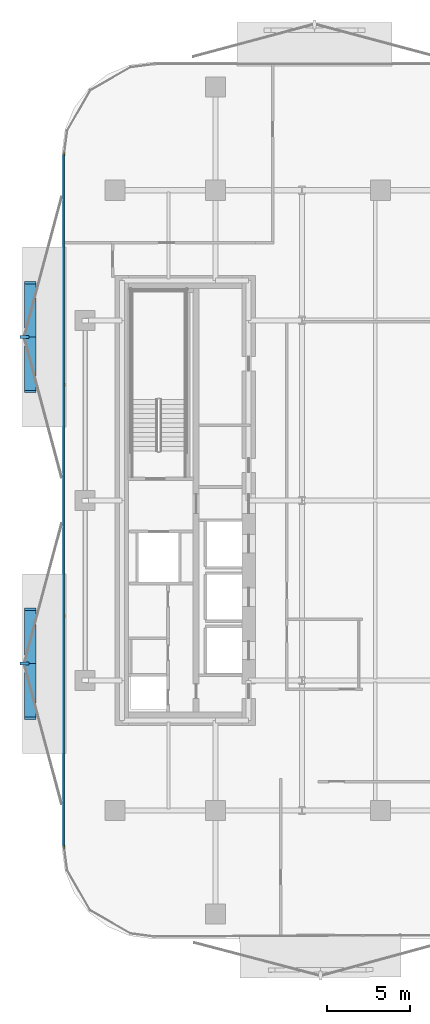
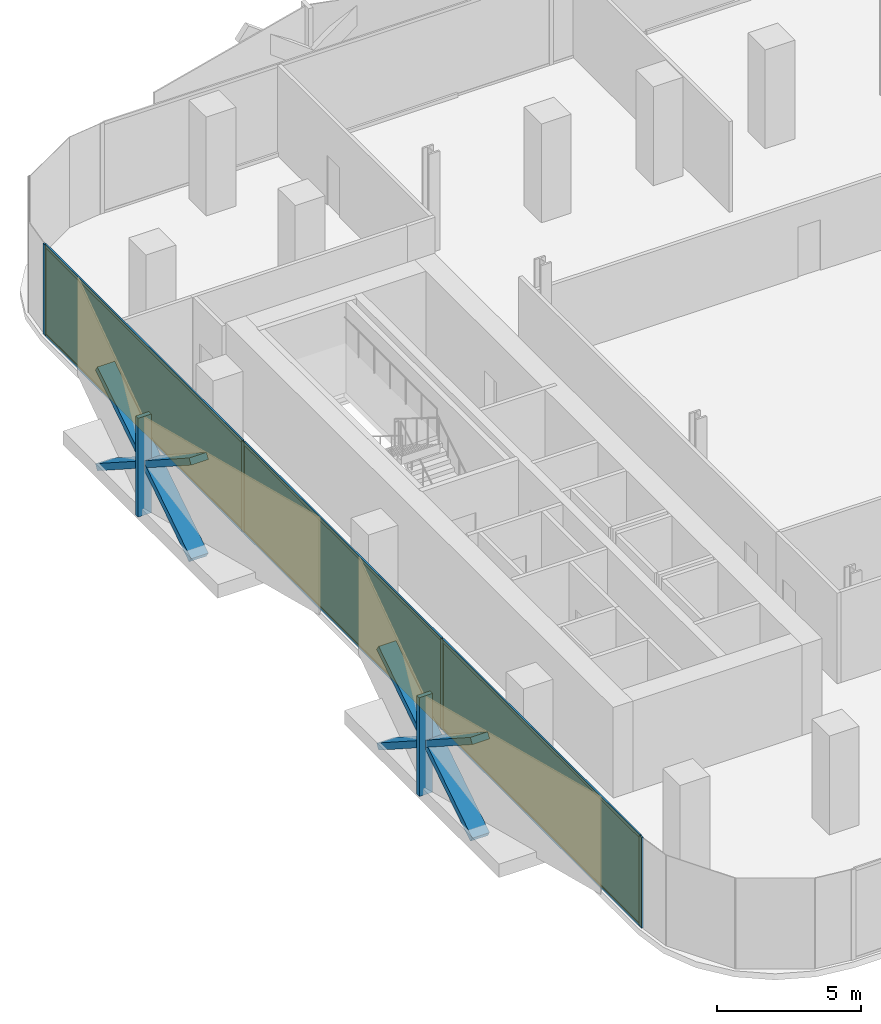
# One storey, part 8 of 15: 16 members, 3 plates, 1 curtain wall.
"""IFC4 building model written with IfcOpenShell, lengths in metres."""

from ifc_helpers import new_model, si_unit, direction, frame, frame_2d, origin, origin_2d, place, context, subcontext, project, spatial, rectangle, extrude, material, layer, layer_set, material_profile, profile_set, type_object, element, aggregate, save


model = new_model("IFC4")

# Units and contexts
model_context = context("Model", 3, precision=1e-05, world=origin(), true_north=direction((0.0, 1.0)))
body_context = subcontext(model_context, "Body", "Model", "MODEL_VIEW")
ifc_project = project(units=[si_unit("LENGTHUNIT", "METRE"), si_unit("AREAUNIT", "SQUARE_METRE"), si_unit("VOLUMEUNIT", "CUBIC_METRE"), si_unit("PLANEANGLEUNIT", "RADIAN"), si_unit("MASSUNIT", "GRAM", prefix="KILO")], contexts=[model_context])

# Member
ifc_material_1 = material(Name="Anodised Bronze Aluminium 6063-T6", Category="aluminium")
ifc_material_profile_1 = material_profile(ifc_material_1, rectangle(XDim=0.260009765625, YDim=0.699951171875, at=origin_2d()))
ifc_profile_set_1 = profile_set([ifc_material_profile_1], Name="Anodised Bronze Aluminium 6063-T6")
member_type_1 = type_object("IfcMemberType", Name="Bronze Diamond Solar-Screen Lattice Rib BDL-700", PredefinedType="MULLION", material=ifc_profile_set_1)
site_placement = place(None, origin())
building_placement = place(site_placement, origin())
storey_placement = place(building_placement, frame((0.0, 0.0, 147.800048828125)))
member_1_placement = place(storey_placement, frame((-25.5, -13.060546875, -0.130126953125), z_axis=(0.0, 0.841051770023, 0.540954637785), x_axis=(0.0, -0.540954637785, 0.841051770023)))
member_1 = element("IfcMember", 1, at=member_1_placement, type_object=member_type_1, Name="L34 Bronze Diamond Solar Screen Lattice Rib 219A", PredefinedType="MULLION", context=body_context, shape_type="SweptSolid", body=[
    extrude(rectangle(XDim=0.260009765625, YDim=0.699951171875, at=origin_2d()), origin(), (0.0, 0.0, 1.0), 7.764404296875),
])

member_2_placement = place(storey_placement, frame((-25.5, -6.5302734375, -0.130126953125), z_axis=(0.0, -0.841051770023, 0.540954637785), x_axis=(0.0, 0.540954637785, 0.841051770023)))
member_2 = element("IfcMember", 2, at=member_2_placement, type_object=member_type_1, Name="L34 Bronze Diamond Solar Screen Lattice Rib 219B", PredefinedType="MULLION", context=body_context, shape_type="SweptSolid", body=[
    extrude(rectangle(XDim=0.260009765625, YDim=0.699951171875, at=origin_2d()), origin(), (0.0, 0.0, 1.0), 7.764404296875),
])

member_3_placement = place(storey_placement, frame((-25.5, 6.5302734375, -0.130126953125), z_axis=(0.0, 0.841051770023, 0.540954637785), x_axis=(0.0, -0.540954637785, 0.841051770023)))
member_3 = element("IfcMember", 3, at=member_3_placement, type_object=member_type_1, Name="L34 Bronze Diamond Solar Screen Lattice Rib 220A", PredefinedType="MULLION", context=body_context, shape_type="SweptSolid", body=[
    extrude(rectangle(XDim=0.260009765625, YDim=0.699951171875, at=origin_2d()), origin(), (0.0, 0.0, 1.0), 7.764404296875),
])

member_4_placement = place(storey_placement, frame((-25.5, 13.060546875, -0.130126953125), z_axis=(0.0, -0.841051770023, 0.540954637785), x_axis=(0.0, 0.540954637785, 0.841051770023)))
member_4 = element("IfcMember", 4, at=member_4_placement, type_object=member_type_1, Name="L34 Bronze Diamond Solar Screen Lattice Rib 220B", PredefinedType="MULLION", context=body_context, shape_type="SweptSolid", body=[
    extrude(rectangle(XDim=0.260009765625, YDim=0.699951171875, at=origin_2d()), origin(), (0.0, 0.0, 1.0), 7.764404296875),
])

ifc_material_2 = material(Name="Anodised Bronze Aluminium 6063-T6", Category="aluminium")
ifc_material_profile_2 = material_profile(ifc_material_2, rectangle(XDim=0.179931640625, YDim=0.5400390625, at=origin_2d()))
ifc_profile_set_2 = profile_set([ifc_material_profile_2], Name="Anodised Bronze Aluminium 6063-T6")
member_type_2 = type_object("IfcMemberType", Name="Bronze Solar-Screen Vertical Fold Fin BSF-540", PredefinedType="MULLION", material=ifc_profile_set_2)
member_5_placement = place(storey_placement, frame((-25.840087890625, -9.79541015625, -0.130126953125), z_axis=(0.0, 0.0, 1.0), x_axis=(0.0, 1.0, 0.0)))
member_5 = element("IfcMember", 5, at=member_5_placement, type_object=member_type_2, Name="L34 Bronze Solar Screen Vertical Fin 219", PredefinedType="MULLION", context=body_context, shape_type="SweptSolid", body=[
    extrude(rectangle(XDim=0.179931640625, YDim=0.5400390625, at=origin_2d()), origin(), (0.0, 0.0, 1.0), 4.2001953125),
])

member_6_placement = place(storey_placement, frame((-25.840087890625, 9.79541015625, -0.130126953125), z_axis=(0.0, 0.0, 1.0), x_axis=(0.0, 1.0, 0.0)))
member_6 = element("IfcMember", 6, at=member_6_placement, type_object=member_type_2, Name="L34 Bronze Solar Screen Vertical Fin 220", PredefinedType="MULLION", context=body_context, shape_type="SweptSolid", body=[
    extrude(rectangle(XDim=0.179931640625, YDim=0.5400390625, at=origin_2d()), origin(), (0.0, 0.0, 1.0), 4.2001953125),
])

ifc_material_3 = material(Name="Anodised Bronze Aluminium 6063-T6", Category="aluminium")
ifc_material_profile_3 = material_profile(ifc_material_3, rectangle(XDim=0.06494140625, YDim=0.175048828125, at=origin_2d()))
ifc_profile_set_3 = profile_set([ifc_material_profile_3], Name="Anodised Bronze Aluminium 6063-T6")
member_type_3 = type_object("IfcMemberType", Name="CW-Z2 Mullion 65x175", PredefinedType="MULLION", material=ifc_profile_set_3)
member_7_placement = place(storey_placement, frame((-23.4599609375, -20.75830078125, 0.0), z_axis=(0.0, 0.0, 1.0), x_axis=(-1.0, 0.0, 0.0)))
member_7 = element("IfcMember", 7, at=member_7_placement, type_object=member_type_3, Name="CW-Z2 mullion 1", PredefinedType="MULLION", context=body_context, shape_type="SweptSolid", body=[
    extrude(rectangle(XDim=0.06494140625, YDim=0.175048828125, at=origin_2d()), origin(), (0.0, 0.0, 1.0), 3.849853515625),
])

member_8_placement = place(storey_placement, frame((-23.4599609375, -6.93017578125, 0.0), z_axis=(0.0, 0.0, 1.0), x_axis=(-1.0, 0.0, 0.0)))
member_8 = element("IfcMember", 8, at=member_8_placement, type_object=member_type_3, Name="CW-Z2 mullion 2", PredefinedType="MULLION", context=body_context, shape_type="SweptSolid", body=[
    extrude(rectangle(XDim=0.06494140625, YDim=0.175048828125, at=origin_2d()), origin(), (0.0, 0.0, 1.0), 3.849853515625),
])

member_9_placement = place(storey_placement, frame((-23.4599609375, 6.93017578125, 0.0), z_axis=(0.0, 0.0, 1.0), x_axis=(-1.0, 0.0, 0.0)))
member_9 = element("IfcMember", 9, at=member_9_placement, type_object=member_type_3, Name="CW-Z2 mullion 3", PredefinedType="MULLION", context=body_context, shape_type="SweptSolid", body=[
    extrude(rectangle(XDim=0.06494140625, YDim=0.175048828125, at=origin_2d()), origin(), (0.0, 0.0, 1.0), 3.849853515625),
])

member_10_placement = place(storey_placement, frame((-23.4599609375, 20.75830078125, 0.0), z_axis=(0.0, 0.0, 1.0), x_axis=(-1.0, 0.0, 0.0)))
member_10 = element("IfcMember", 10, at=member_10_placement, type_object=member_type_3, Name="CW-Z2 mullion 4", PredefinedType="MULLION", context=body_context, shape_type="SweptSolid", body=[
    extrude(rectangle(XDim=0.06494140625, YDim=0.175048828125, at=origin_2d()), origin(), (0.0, 0.0, 1.0), 3.849853515625),
])

ifc_material_4 = material(Name="Anodised Bronze Aluminium 6063-T6", Category="aluminium")
ifc_material_profile_4 = material_profile(ifc_material_4, rectangle(XDim=0.06494140625, YDim=0.135009765625, at=origin_2d()))
ifc_profile_set_4 = profile_set([ifc_material_profile_4], Name="Anodised Bronze Aluminium 6063-T6")
member_type_4 = type_object("IfcMemberType", Name="CW-Z2 Transom 65x135", PredefinedType="USERDEFINED", material=ifc_profile_set_4)
member_11_placement = place(storey_placement, frame((-23.4599609375, -20.725830078125, 0.032470703125), z_axis=(0.0, 1.0, 0.0), x_axis=(-1.0, 0.0, 0.0)))
member_11 = element("IfcMember", 11, at=member_11_placement, type_object=member_type_4, Name="CW-Z2 transom 1.1", ObjectType="TRANSOM", PredefinedType="USERDEFINED", context=body_context, shape_type="SweptSolid", body=[
    extrude(rectangle(XDim=0.06494140625, YDim=0.135009765625, at=origin_2d()), origin(), (0.0, 0.0, 1.0), 13.76318359375),
])

member_12_placement = place(storey_placement, frame((-23.4599609375, -20.725830078125, 3.8173828125), z_axis=(0.0, 1.0, 0.0), x_axis=(-1.0, 0.0, 0.0)))
member_12 = element("IfcMember", 12, at=member_12_placement, type_object=member_type_4, Name="CW-Z2 transom 1.2", ObjectType="TRANSOM", PredefinedType="USERDEFINED", context=body_context, shape_type="SweptSolid", body=[
    extrude(rectangle(XDim=0.06494140625, YDim=0.135009765625, at=origin_2d()), origin(), (0.0, 0.0, 1.0), 13.76318359375),
])

member_13_placement = place(storey_placement, frame((-23.4599609375, -6.897705078125, 0.032470703125), z_axis=(0.0, 1.0, 0.0), x_axis=(-1.0, 0.0, 0.0)))
member_13 = element("IfcMember", 13, at=member_13_placement, type_object=member_type_4, Name="CW-Z2 transom 2.1", ObjectType="TRANSOM", PredefinedType="USERDEFINED", context=body_context, shape_type="SweptSolid", body=[
    extrude(rectangle(XDim=0.06494140625, YDim=0.135009765625, at=origin_2d()), origin(), (0.0, 0.0, 1.0), 13.79541015625),
])

member_14_placement = place(storey_placement, frame((-23.4599609375, -6.897705078125, 3.8173828125), z_axis=(0.0, 1.0, 0.0), x_axis=(-1.0, 0.0, 0.0)))
member_14 = element("IfcMember", 14, at=member_14_placement, type_object=member_type_4, Name="CW-Z2 transom 2.2", ObjectType="TRANSOM", PredefinedType="USERDEFINED", context=body_context, shape_type="SweptSolid", body=[
    extrude(rectangle(XDim=0.06494140625, YDim=0.135009765625, at=origin_2d()), origin(), (0.0, 0.0, 1.0), 13.79541015625),
])

member_15_placement = place(storey_placement, frame((-23.4599609375, 6.962646484375, 0.032470703125), z_axis=(0.0, 1.0, 0.0), x_axis=(-1.0, 0.0, 0.0)))
member_15 = element("IfcMember", 15, at=member_15_placement, type_object=member_type_4, Name="CW-Z2 transom 3.1", ObjectType="TRANSOM", PredefinedType="USERDEFINED", context=body_context, shape_type="SweptSolid", body=[
    extrude(rectangle(XDim=0.06494140625, YDim=0.135009765625, at=origin_2d()), origin(), (0.0, 0.0, 1.0), 13.76318359375),
])

member_16_placement = place(storey_placement, frame((-23.4599609375, 6.962646484375, 3.8173828125), z_axis=(0.0, 1.0, 0.0), x_axis=(-1.0, 0.0, 0.0)))
member_16 = element("IfcMember", 16, at=member_16_placement, type_object=member_type_4, Name="CW-Z2 transom 3.2", ObjectType="TRANSOM", PredefinedType="USERDEFINED", context=body_context, shape_type="SweptSolid", body=[
    extrude(rectangle(XDim=0.06494140625, YDim=0.135009765625, at=origin_2d()), origin(), (0.0, 0.0, 1.0), 13.76318359375),
])

# Plate
ifc_material_5 = material(Name="Low-E Solar Control Laminated Glass", Category="glass")
ifc_layer_1 = layer(ifc_material_5, 0.028076171875, Name="Low-E Solar Control Laminated Glass")
ifc_layer_set_1 = layer_set([ifc_layer_1], Name="Low-E Solar Control Laminated Glass")
plate_type = type_object("IfcPlateType", Name="CW-Z2 Low-E Double Glazed Panel 28mm", PredefinedType="CURTAIN_PANEL", material=ifc_layer_set_1)
plate_1_placement = place(storey_placement, frame((-23.4599609375, -13.84423828125, 0.06494140625), z_axis=(0.0, 0.0, 1.0), x_axis=(0.0, 1.0, 0.0)))
plate_1 = element("IfcPlate", 17, at=plate_1_placement, type_object=plate_type, Name="CW-Z2 panel 1.1", PredefinedType="CURTAIN_PANEL", context=body_context, shape_type="SweptSolid", body=[
    extrude(rectangle(XDim=13.762939453125, YDim=0.028076171875, at=origin_2d()), origin(), (0.0, 0.0, 1.0), 3.719970703125),
])

plate_2_placement = place(storey_placement, frame((-23.4599609375, 0.0, 0.06494140625), z_axis=(0.0, 0.0, 1.0), x_axis=(0.0, 1.0, 0.0)))
plate_2 = element("IfcPlate", 18, at=plate_2_placement, type_object=plate_type, Name="CW-Z2 panel 2.1", PredefinedType="CURTAIN_PANEL", context=body_context, shape_type="SweptSolid", body=[
    extrude(rectangle(XDim=13.795654296875, YDim=0.028076171875, at=origin_2d()), origin(), (0.0, 0.0, 1.0), 3.719970703125),
])

plate_3_placement = place(storey_placement, frame((-23.4599609375, 13.84423828125, 0.06494140625), z_axis=(0.0, 0.0, 1.0), x_axis=(0.0, 1.0, 0.0)))
plate_3 = element("IfcPlate", 19, at=plate_3_placement, type_object=plate_type, Name="CW-Z2 panel 3.1", PredefinedType="CURTAIN_PANEL", context=body_context, shape_type="SweptSolid", body=[
    extrude(rectangle(XDim=13.762939453125, YDim=0.028076171875, at=origin_2d()), origin(), (0.0, 0.0, 1.0), 3.719970703125),
])

# Site, building, storey
site = spatial("IfcSite", under=ifc_project, at=site_placement, CompositionType="ELEMENT")
building = spatial("IfcBuilding", under=site, at=building_placement, Name="Khairoan Windgate Tower", CompositionType="ELEMENT")
storey = spatial("IfcBuildingStorey", under=building, at=storey_placement, Name="L34", CompositionType="ELEMENT", Elevation=147.800048828125)

# Curtain wall
ifc_material_6 = material(Name="Anodised Bronze Aluminium 6063-T6", Category="aluminium")
ifc_layer_2 = layer(ifc_material_6, 0.175048828125, Name="Anodised Bronze Aluminium 6063-T6")
ifc_layer_set_2 = layer_set([ifc_layer_2], Name="Anodised Bronze Aluminium 6063-T6")
curtain_wall_type = type_object("IfcCurtainWallType", Name="Mid-Rise Office Unitised Curtain Wall CW-Z2", PredefinedType="NOTDEFINED", material=ifc_layer_set_2)
curtain_wall_placement = place(storey_placement, frame((-23.4599609375, -20.790771484375, 0.0), z_axis=(0.0, 0.0, 1.0), x_axis=(0.0, 1.0, 0.0)))
curtain_wall = element("IfcCurtainWall", 20, at=curtain_wall_placement, inside=storey, type_object=curtain_wall_type, Name="L34 Unitised Curtain Wall 6", PredefinedType="NOTDEFINED", context=body_context, shape_type="SweptSolid", body=[
    extrude(rectangle(XDim=41.58154296875, YDim=0.010009765625, at=frame_2d((20.790771484375, 0.0))), origin(), (0.0, 0.0, 1.0), 3.849853515625),
])

aggregate(curtain_wall, [member_7, member_8, member_9, member_10, member_11, member_12, plate_1, member_13, member_14, plate_2, member_15, member_16, plate_3, member_1, member_2, member_5, member_3, member_4, member_6])

save(model, "model.ifc")
